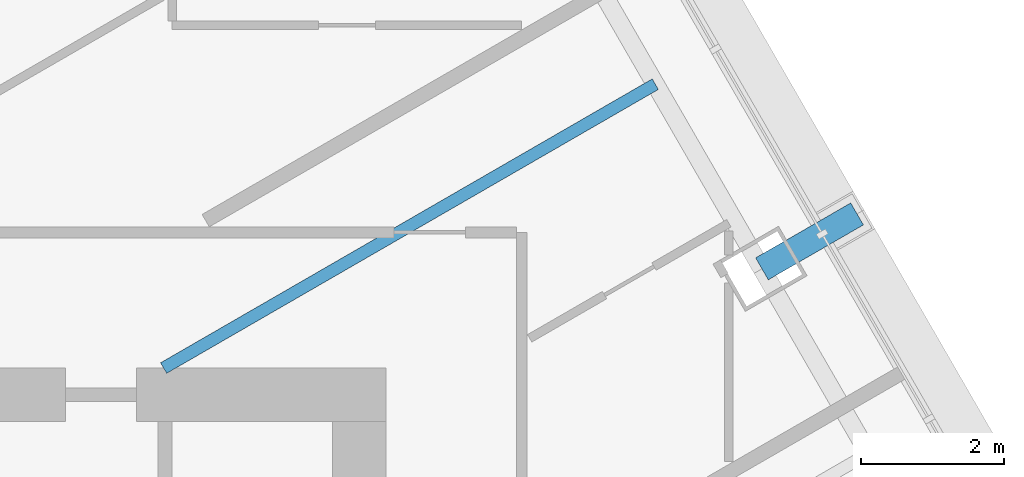
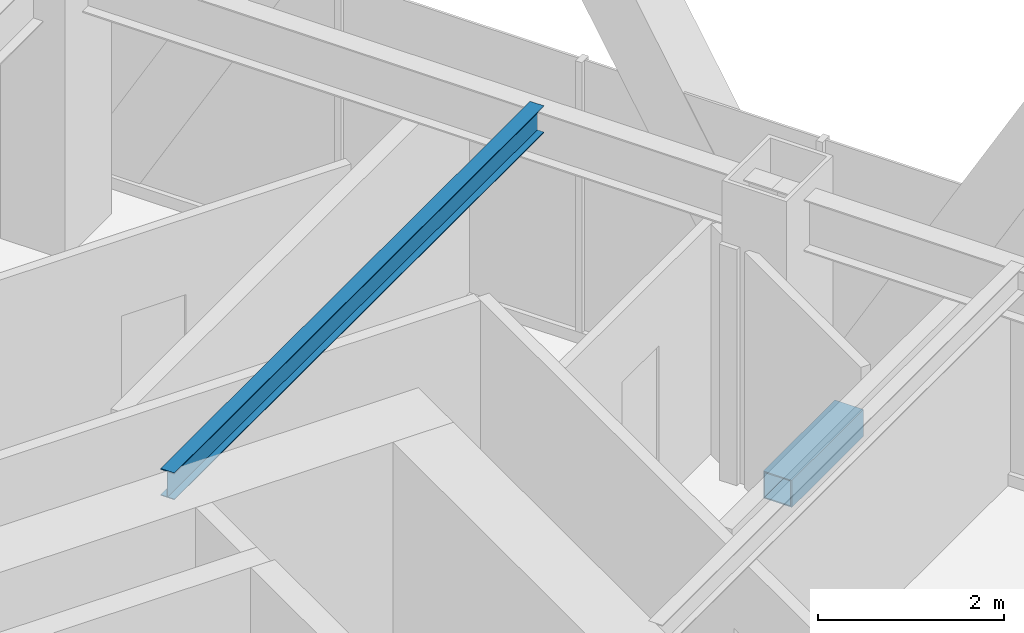
# One storey, part 12 of 24: 1 beam, 1 member.
"""IFC4 building model written with IfcOpenShell, lengths in metres."""

from ifc_helpers import new_model, si_unit, direction, frame, origin, origin_2d, place, context, subcontext, project, spatial, hollow_rectangle, i_section, extrude, material, material_profile, profile_set, type_object, element, save


model = new_model("IFC4")

# Units and contexts
model_context = context("Model", 3, precision=1e-05, world=origin(), true_north=direction((0.0, 1.0)))
body_context = subcontext(model_context, "Body", "Model", "MODEL_VIEW")
ifc_project = project(units=[si_unit("LENGTHUNIT", "METRE"), si_unit("AREAUNIT", "SQUARE_METRE"), si_unit("VOLUMEUNIT", "CUBIC_METRE"), si_unit("PLANEANGLEUNIT", "RADIAN"), si_unit("MASSUNIT", "GRAM", prefix="KILO")], contexts=[model_context])

# Site, building, storey
site_placement = place(None, origin())
site = spatial("IfcSite", under=ifc_project, at=site_placement, CompositionType="ELEMENT")
building_placement = place(site_placement, origin())
building = spatial("IfcBuilding", under=site, at=building_placement, Name="Firuza Gate Tower and Library", CompositionType="ELEMENT")
storey_placement = place(building_placement, frame((0.0, 0.0, 171.39990234375)))
storey = spatial("IfcBuildingStorey", under=building, at=storey_placement, Name="L39", CompositionType="ELEMENT", Elevation=171.39990234375)

# Member
ifc_material_1 = material(Name="Steel S355", Category="steel")
ifc_material_profile_1 = material_profile(ifc_material_1, hollow_rectangle(XDim=0.355712890625, YDim=0.355712890625, WallThickness=0.014892578125, at=origin_2d()))
ifc_profile_set_1 = profile_set([ifc_material_profile_1], Name="Steel S355")
member_type = type_object("IfcMemberType", Name="HSS356x356x16 Lattice node tie", PredefinedType="BRACE", material=ifc_profile_set_1)
member_placement = place(storey_placement, frame((91.263427734375, 84.3896484375, -0.31982421875), z_axis=(0.866048237946, 0.499960447986, 0.0), x_axis=(-0.499960447986, 0.866048237946, 0.0)))
element("IfcMember", 1, at=member_placement, inside=storey, type_object=member_type, Name="Lattice node tie E L39 179", PredefinedType="BRACE", context=body_context, shape_type="SweptSolid", body=[
    extrude(hollow_rectangle(XDim=0.355712890625, YDim=0.355712890625, WallThickness=0.014892578125, at=origin_2d()), origin(), (0.0, 0.0, 1.0), 1.5390625),
])

# Beam
ifc_material_2 = material(Name="Steel S355", Category="steel")
ifc_material_profile_2 = material_profile(ifc_material_2, i_section(OverallWidth=0.1708984375, OverallDepth=0.35498046875, WebThickness=0.007080078125, FlangeThickness=0.01171875, at=origin_2d()))
ifc_profile_set_2 = profile_set([ifc_material_profile_2], Name="Steel S355")
beam_type = type_object("IfcBeamType", Name="W360x51 Floor beam", PredefinedType="JOIST", material=ifc_profile_set_2)
beam_placement = place(storey_placement, frame((89.769775390625, 86.976806640625, 3.522705078125), z_axis=(-0.866022521394, -0.500004992414, 0.0), x_axis=(0.500004992414, -0.866022521394, 0.0)))
element("IfcBeam", 2, at=beam_placement, inside=storey, type_object=beam_type, Name="Floor beam L39 s53", PredefinedType="JOIST", context=body_context, shape_type="SweptSolid", body=[
    extrude(i_section(OverallWidth=0.1708984375, OverallDepth=0.35498046875, WebThickness=0.007080078125, FlangeThickness=0.01171875, at=origin_2d()), origin(), (0.0, 0.0, 1.0), 7.95361328125),
])

save(model, "model.ifc")
